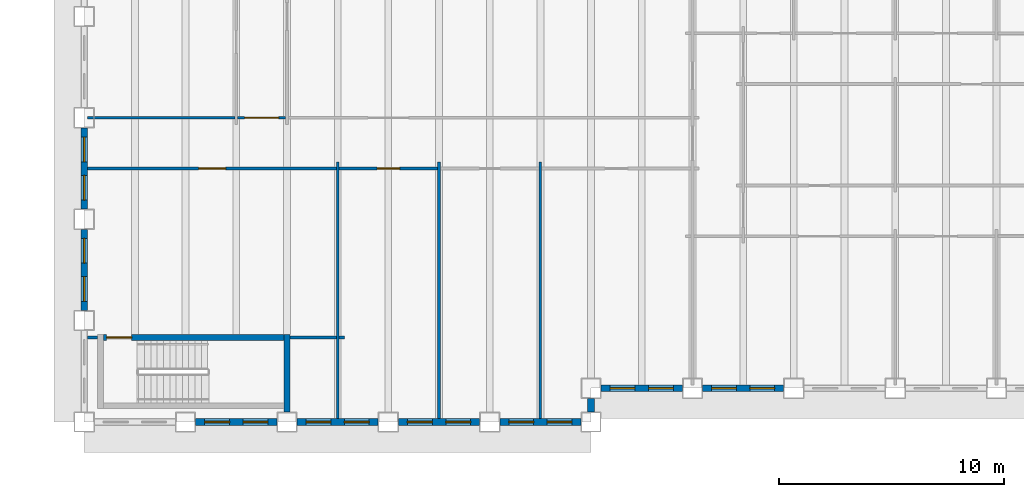
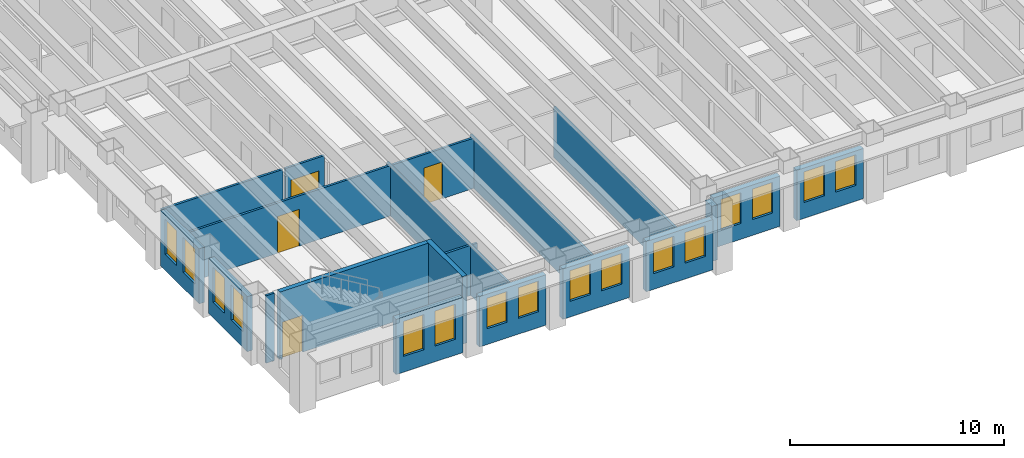
# One storey, part 3 of 16: 21 walls, 16 windows, 4 doors, 20 openings.
"""IFC4 building model written with IfcOpenShell, lengths in metres."""

import ifcopenshell
import ifcopenshell.guid

model = None  # the IFC model being written
_history = None  # IfcOwnerHistory: only IFC2X3 demands one
_inside = {}  # id of a spatial element -> (the spatial element, [elements in it])
_under = {}  # id of a project, library or spatial element -> (it, [spatial elements below it])
_declared = {}  # id of a project -> (the project, [libraries it declares])
_typed = {}  # id of a type object -> (the type object, [elements of that type])
_made_of = {}  # id of a material, layer set ... -> (it, [elements and type objects made of it])


def new_model(schema):
    """Start an empty IFC model of exactly this schema.

    Asked for "IFC4X3", IfcOpenShell would pick the latest addendum, in which some entities
    have other attributes; the version numbers below select the first issue.
    IFC2X3 requires an IfcOwnerHistory on every rooted entity: one is made here for all.
    """
    global model, _history
    if schema == "IFC4X3":
        model = ifcopenshell.file(schema_version=(4, 3, 0, 0))
    else:
        model = ifcopenshell.file(schema=schema)
    _inside.clear()
    _under.clear()
    _declared.clear()
    _typed.clear()
    _made_of.clear()
    _history = None
    if model.schema == "IFC2X3":
        org = make("IfcOrganization", Name="unknown")
        user = make(
            "IfcPersonAndOrganization",
            ThePerson=make("IfcPerson", FamilyName="unknown"),
            TheOrganization=org,
        )
        app = make(
            "IfcApplication",
            ApplicationDeveloper=org,
            Version="unknown",
            ApplicationFullName="unknown",
            ApplicationIdentifier="unknown",
        )
        _history = make(
            "IfcOwnerHistory",
            OwningUser=user,
            OwningApplication=app,
            ChangeAction="ADDED",
            CreationDate=0,
        )
    return model


def make(cls, **values):
    """One entity of the class cls with the attributes given. An attribute that is None is left unset."""
    return model.create_entity(
        cls, **{name: value for name, value in values.items() if value is not None}
    )


def rooted(cls, **values):
    """An entity with a GlobalId (a new one), such as an element, a storey or a relation."""
    return make(cls, GlobalId=ifcopenshell.guid.new(), OwnerHistory=_history, **values)


def si_unit(unit_type, name, prefix=None):
    """IfcSIUnit, for example si_unit("LENGTHUNIT", "METRE", prefix="MILLI")."""
    return make("IfcSIUnit", UnitType=unit_type, Prefix=prefix, Name=name)


def assignment(units):
    """IfcUnitAssignment: the units of a project."""
    return None if units is None else make("IfcUnitAssignment", Units=units)


def point(xyz):
    """IfcCartesianPoint."""
    return None if xyz is None else make("IfcCartesianPoint", Coordinates=xyz)


def direction(xyz):
    """IfcDirection."""
    return None if xyz is None else make("IfcDirection", DirectionRatios=xyz)


def frame(location, z_axis=None, x_axis=None):
    """IfcAxis2Placement3D, a coordinate frame: its origin and axes. An axis left out is left unset."""
    return make(
        "IfcAxis2Placement3D",
        Location=point(location),
        Axis=direction(z_axis),
        RefDirection=direction(x_axis),
    )


def frame_2d(location, x_axis=None):
    """IfcAxis2Placement2D, a coordinate frame in the plane: its origin and x axis."""
    return make(
        "IfcAxis2Placement2D", Location=point(location), RefDirection=direction(x_axis)
    )


def origin():
    """The frame at (0, 0, 0) with its axes left unset."""
    return frame((0.0, 0.0, 0.0))


def place(relative_to, where):
    """IfcLocalPlacement: puts the frame where relative to a parent placement (None: the world)."""
    return make(
        "IfcLocalPlacement", PlacementRelTo=relative_to, RelativePlacement=where
    )


def context(
    kind, dimensions, precision=None, world=None, true_north=None, identifier=None
):
    """IfcGeometricRepresentationContext, for example the 3D "Model" context."""
    return make(
        "IfcGeometricRepresentationContext",
        ContextIdentifier=identifier,
        ContextType=kind,
        CoordinateSpaceDimension=dimensions,
        Precision=precision,
        WorldCoordinateSystem=world,
        TrueNorth=true_north,
    )


def subcontext(parent, identifier, kind, view, scale=None):
    """IfcGeometricRepresentationSubContext, for example "Body" below "Model"."""
    return make(
        "IfcGeometricRepresentationSubContext",
        ContextIdentifier=identifier,
        ContextType=kind,
        ParentContext=parent,
        TargetScale=scale,
        TargetView=view,
    )


def project(units=None, contexts=None):
    """IfcProject with its units and contexts."""
    return rooted(
        "IfcProject",
        Name="project",
        RepresentationContexts=contexts,
        UnitsInContext=assignment(units),
    )


def spatial(cls, under=None, at=None, **own):
    """A site, building, storey or space (cls), placed at a placement, below another one or the project."""
    s = rooted(cls, ObjectPlacement=at, **own)
    if under is not None:
        _under.setdefault(under.id(), (under, []))[1].append(s)
    return s


def profile(cls, at=None, kind="AREA", **sizes):
    """A parametric profile (cls). Its sizes go by their IFC names, for example OverallWidth=200.0."""
    return make(cls, ProfileType=kind, Position=at, **sizes)


def rectangle(**sizes):
    """IfcRectangleProfileDef."""
    return profile("IfcRectangleProfileDef", **sizes)


def extrude(swept, where, along, depth):
    """IfcExtrudedAreaSolid: the profile swept, set in the frame where, extruded along a direction by depth."""
    return make(
        "IfcExtrudedAreaSolid",
        SweptArea=swept,
        Position=where,
        ExtrudedDirection=direction(along),
        Depth=depth,
    )


def shape(context_of_items, identifier, shape_type, items):
    """IfcShapeRepresentation: the items that make up one representation, for example the "Body"."""
    return make(
        "IfcShapeRepresentation",
        ContextOfItems=context_of_items,
        RepresentationIdentifier=identifier,
        RepresentationType=shape_type,
        Items=items,
    )


def material(Name=None, Category=None):
    """IfcMaterial."""
    return make("IfcMaterial", Name=Name, Category=Category)


def layer(
    of_material, thickness, ventilated=None, Name=None, Category=None, Priority=None
):
    """IfcMaterialLayer: one layer of a wall or slab, of a material (None: an air gap)."""
    return make(
        "IfcMaterialLayer",
        Material=of_material,
        LayerThickness=thickness,
        IsVentilated=ventilated,
        Name=Name,
        Category=Category,
        Priority=Priority,
    )


def layer_set(layers, Name=None):
    """IfcMaterialLayerSet."""
    return make("IfcMaterialLayerSet", MaterialLayers=layers, LayerSetName=Name)


def made_of(thing, what):
    """Note that an element or type object is made of a material, layer set ...; save() writes the relation."""
    if what is not None:
        _made_of.setdefault(what.id(), (what, []))[1].append(thing)
    return thing


def type_object(cls, material=None, **own):
    """A type object (cls), such as IfcWallType, which elements share."""
    return made_of(rooted(cls, **own), material)


def element(
    cls,
    number,
    at=None,
    inside=None,
    cuts=None,
    type_object=None,
    material=None,
    context=None,
    identifier="Body",
    shape_type=None,
    held_by="IfcProductDefinitionShape",
    body=None,
    shapes=None,
    **own,
):
    """One element of the class cls, such as IfcWall. Its Tag is "e" and its number.

    at: its placement. inside: the storey or other place that contains it. cuts: it is an
    opening in that element (IfcRelVoidsElement). A single representation is given by context,
    identifier, shape_type and body (its items); several are given by shapes. held_by: the class
    of the entity that holds the representations. save() writes the other relations.
    """
    e = rooted(cls, Tag="e%d" % number, ObjectPlacement=at, **own)
    if body is not None:
        shapes = [shape(context, identifier, shape_type, body)]
    if shapes is not None:
        e.Representation = make(held_by, Representations=shapes)
    if inside is not None:
        _inside.setdefault(inside.id(), (inside, []))[1].append(e)
    if cuts is not None:
        rooted(
            "IfcRelVoidsElement", RelatingBuildingElement=cuts, RelatedOpeningElement=e
        )
    if type_object is not None:
        _typed.setdefault(type_object.id(), (type_object, []))[1].append(e)
    return made_of(e, material)


def fill(opening, filler):
    """IfcRelFillsElement: the door or window that sits in an opening."""
    return rooted(
        "IfcRelFillsElement",
        RelatingOpeningElement=opening,
        RelatedBuildingElement=filler,
    )


def aggregate(whole, parts):
    """IfcRelAggregates: a whole, such as a stair, and the parts it consists of."""
    return rooted("IfcRelAggregates", RelatingObject=whole, RelatedObjects=parts)


def save(model, path):
    """Write the relations noted so far, then the file.

    IfcRelAggregates (storeys below a building ...), IfcRelContainedInSpatialStructure (elements
    in a storey), IfcRelDefinesByType, IfcRelAssociatesMaterial and IfcRelDeclares: one each for
    every whole, place, type object, material and project.
    """
    for whole, parts in _under.values():
        aggregate(whole, parts)
    for where, things in _inside.values():
        rooted(
            "IfcRelContainedInSpatialStructure",
            RelatedElements=things,
            RelatingStructure=where,
        )
    for kind, things in _typed.values():
        rooted("IfcRelDefinesByType", RelatedObjects=things, RelatingType=kind)
    for what, things in _made_of.values():
        rooted("IfcRelAssociatesMaterial", RelatedObjects=things, RelatingMaterial=what)
    for by, libraries in _declared.values():
        rooted("IfcRelDeclares", RelatingContext=by, RelatedDefinitions=libraries)
    model.write(path)


model = new_model("IFC4")

# Units and contexts
model_context = context("Model", 3, precision=1e-05, world=origin(), true_north=direction((0.0, 1.0)))
body_context = subcontext(model_context, "Body", "Model", "MODEL_VIEW")
ifc_project = project(units=[si_unit("LENGTHUNIT", "METRE"), si_unit("AREAUNIT", "SQUARE_METRE"), si_unit("VOLUMEUNIT", "CUBIC_METRE"), si_unit("PLANEANGLEUNIT", "RADIAN"), si_unit("MASSUNIT", "GRAM", prefix="KILO")], contexts=[model_context])

# Site, building, storey
site_placement = place(None, origin())
site = spatial("IfcSite", under=ifc_project, at=site_placement, CompositionType="ELEMENT")
building_placement = place(site_placement, origin())
building = spatial("IfcBuilding", under=site, at=building_placement, Name="Sennacour Bend Tower", CompositionType="ELEMENT")
storey_placement = place(building_placement, frame((0.0, 0.0, 171.0)))
storey = spatial("IfcBuildingStorey", under=building, at=storey_placement, Name="L39", CompositionType="ELEMENT", Elevation=171.0)

# Walls
ifc_material_1 = material(Name="Plasterboard partition on steel studs", Category="steel")
ifc_layer_1 = layer(ifc_material_1, 0.1201171875, Name="Plasterboard partition on steel studs", Category="steel")
ifc_layer_set_1 = layer_set([ifc_layer_1], Name="Plasterboard partition on steel studs")
wall_type_1 = type_object("IfcWallType", Name="Partition 120", PredefinedType="PARTITIONING", material=ifc_layer_set_1)
for number, where, z_axis, x_axis, name in (
    (1, (11.25, 0.14990234375, 0.0), (0.0, 0.0, 1.0), (0.0, 1.0, 0.0), "P-L39-W015a"),
    (2, (15.75, 0.14990234375, 0.0), (0.0, 0.0, 1.0), (0.0, 1.0, 0.0), "P-L39-W020a"),
    (3, (20.25, 0.14990234375, 0.0), (0.0, 0.0, 1.0), (0.0, 1.0, 0.0), "P-L39-W025a"),
):
    element("IfcWall", number, at=place(storey_placement, frame(where, z_axis=z_axis, x_axis=x_axis)), inside=storey, type_object=wall_type_1, Name=name, PredefinedType="PARTITIONING", context=body_context, shape_type="SweptSolid", body=[
        extrude(rectangle(XDim=11.400146484375, YDim=0.1201171875, at=frame_2d((5.7001953125, 0.0))), origin(), (0.0, 0.0, 1.0), 2.8701171875),
    ])
wall_1_placement = place(storey_placement, frame((0.14990234375, 3.75, 0.0), z_axis=(0.0, 0.0, 1.0), x_axis=(1.0, 0.0, 0.0)))
element("IfcWall", 4, at=wall_1_placement, inside=storey, type_object=wall_type_1, Name="P-L39-W054a", PredefinedType="PARTITIONING", context=body_context, shape_type="SweptSolid", body=[
    extrude(rectangle(XDim=0.4501953125, YDim=0.1201171875, at=frame_2d((0.22509765625, 0.0))), origin(), (0.0, 0.0, 1.0), 3.85009765625),
])
wall_2_placement = place(storey_placement, frame((9.125, 3.75, 0.0), z_axis=(0.0, 0.0, 1.0), x_axis=(1.0, 0.0, 0.0)))
element("IfcWall", 5, at=wall_2_placement, inside=storey, type_object=wall_type_1, Name="P-L39-W056aa", PredefinedType="PARTITIONING", context=body_context, shape_type="SweptSolid", body=[
    extrude(rectangle(XDim=2.06494140625, YDim=0.1201171875, at=frame_2d((1.032470703125, 0.0))), origin(), (0.0, 0.0, 1.0), 2.8701171875),
])
wall_3_placement = place(storey_placement, frame((11.31005859375, 3.75, 0.0), z_axis=(0.0, 0.0, 1.0), x_axis=(1.0, 0.0, 0.0)))
element("IfcWall", 6, at=wall_3_placement, inside=storey, type_object=wall_type_1, Name="P-L39-W056ab", PredefinedType="PARTITIONING", context=body_context, shape_type="SweptSolid", body=[
    extrude(rectangle(XDim=0.239990234375, YDim=0.1201171875, at=frame_2d((0.1201171875, 0.0))), origin(), (0.0, 0.0, 1.0), 2.8701171875),
])

# Wall, opening, door
wall_4_placement = place(storey_placement, frame((11.31005859375, 11.25, 0.0), z_axis=(0.0, 0.0, 1.0), x_axis=(1.0, 0.0, 0.0)))
wall_4 = element("IfcWall", 7, at=wall_4_placement, inside=storey, type_object=wall_type_1, Name="P-L39-W064ab", PredefinedType="PARTITIONING", context=body_context, shape_type="SweptSolid", body=[
    extrude(rectangle(XDim=4.3798828125, YDim=0.1201171875, at=frame_2d((2.18994140625, 0.0))), origin(), (0.0, 0.0, 1.0), 2.8701171875),
])
opening_1_placement = place(wall_4_placement, frame((1.68994140625, 0.0, 0.0)))
opening_1 = element("IfcOpeningElement", 8, at=opening_1_placement, cuts=wall_4, Name="Opening OD2", PredefinedType="OPENING", context=body_context, shape_type="SweptSolid", body=[
    extrude(rectangle(XDim=1.0, YDim=2.10009765625, at=frame_2d((0.5, 1.050048828125))), frame((0.0, 0.070068359375, 0.0), z_axis=(0.0, -1.0, 0.0), x_axis=(1.0, 0.0, 0.0)), (0.0, 0.0, 1.0), 0.14013671875),
])
ifc_material_2 = material(Name="Timber", Category="wood")
door_type_1 = type_object("IfcDoorType", Name="DR-OFFICE-1000", OperationType="NOTDEFINED", PredefinedType="DOOR", material=ifc_material_2)
door_1_placement = place(opening_1_placement, origin())
door_1 = element("IfcDoor", 9, at=door_1_placement, inside=storey, type_object=door_type_1, Name="Door", OperationType="SINGLE_SWING_LEFT", OverallHeight=2.10009765625, OverallWidth=1.0, PredefinedType="DOOR", context=body_context, shape_type="SweptSolid", body=[
    extrude(rectangle(XDim=1.0, YDim=2.10009765625, at=frame_2d((0.5, 1.050048828125))), frame((0.0, 0.02490234375, 0.0), z_axis=(0.0, -1.0, 0.0), x_axis=(1.0, 0.0, 0.0)), (0.0, 0.0, 1.0), 0.050048828125),
])
fill(opening_1, door_1)

# Wall
wall_5_placement = place(storey_placement, frame((0.14990234375, 13.5, 0.0), z_axis=(0.0, 0.0, 1.0), x_axis=(1.0, 0.0, 0.0)))
element("IfcWall", 10, at=wall_5_placement, inside=storey, type_object=wall_type_1, Name="P-L39-W068aa", PredefinedType="PARTITIONING", context=body_context, shape_type="SweptSolid", body=[
    extrude(rectangle(XDim=6.5400390625, YDim=0.1201171875, at=frame_2d((3.27001953125, 0.0))), origin(), (0.0, 0.0, 1.0), 2.8701171875),
])

# Wall, opening, door
ifc_layer_2 = layer(ifc_material_1, 0.1201171875, Name="Plasterboard partition on steel studs", Category="steel")
ifc_layer_set_2 = layer_set([ifc_layer_2], Name="Plasterboard partition on steel studs")
wall_type_2 = type_object("IfcWallType", Name="Partition 120 EI 30", PredefinedType="PARTITIONING", material=ifc_layer_set_2)
wall_6_placement = place(storey_placement, frame((0.14990234375, 11.25, 0.0), z_axis=(0.0, 0.0, 1.0), x_axis=(1.0, 0.0, 0.0)))
wall_6 = element("IfcWall", 11, at=wall_6_placement, inside=storey, type_object=wall_type_2, Name="P-L39-W064aa", PredefinedType="PARTITIONING", context=body_context, shape_type="SweptSolid", body=[
    extrude(rectangle(XDim=11.0400390625, YDim=0.1201171875, at=frame_2d((5.52001953125, 0.0))), origin(), (0.0, 0.0, 1.0), 2.8701171875),
])
opening_2_placement = place(wall_6_placement, frame((4.93017578125, 0.0, 0.0)))
opening_2 = element("IfcOpeningElement", 12, at=opening_2_placement, cuts=wall_6, Name="Opening KD2", PredefinedType="OPENING", context=body_context, shape_type="SweptSolid", body=[
    extrude(rectangle(XDim=1.199951171875, YDim=2.10009765625, at=frame_2d((0.60009765625, 1.050048828125))), frame((0.0, 0.070068359375, 0.0), z_axis=(0.0, -1.0, 0.0), x_axis=(1.0, 0.0, 0.0)), (0.0, 0.0, 1.0), 0.14013671875),
])
ifc_material_3 = material(Name="Painted steel", Category="steel")
door_type_2 = type_object("IfcDoorType", Name="DR-CORRIDOR-1200", OperationType="NOTDEFINED", PredefinedType="DOOR", material=ifc_material_3)
door_2_placement = place(opening_2_placement, origin())
door_2 = element("IfcDoor", 13, at=door_2_placement, inside=storey, type_object=door_type_2, Name="Door", OperationType="SINGLE_SWING_LEFT", OverallHeight=2.10009765625, OverallWidth=1.199951171875, PredefinedType="DOOR", context=body_context, shape_type="SweptSolid", body=[
    extrude(rectangle(XDim=1.199951171875, YDim=2.10009765625, at=frame_2d((0.60009765625, 1.050048828125))), frame((0.0, 0.02490234375, 0.0), z_axis=(0.0, -1.0, 0.0), x_axis=(1.0, 0.0, 0.0)), (0.0, 0.0, 1.0), 0.050048828125),
])
fill(opening_2, door_2)

wall_7_placement = place(storey_placement, frame((6.81005859375, 13.5, 0.0), z_axis=(0.0, 0.0, 1.0), x_axis=(1.0, 0.0, 0.0)))
wall_7 = element("IfcWall", 14, at=wall_7_placement, inside=storey, type_object=wall_type_2, Name="P-L39-W068ab", PredefinedType="PARTITIONING", context=body_context, shape_type="SweptSolid", body=[
    extrude(rectangle(XDim=2.1298828125, YDim=0.1201171875, at=frame_2d((1.06494140625, 0.0))), origin(), (0.0, 0.0, 1.0), 2.8701171875),
])
opening_3_placement = place(wall_7_placement, frame((0.31494140625, 0.0, 0.0)))
opening_3 = element("IfcOpeningElement", 15, at=opening_3_placement, cuts=wall_7, Name="Opening KD", PredefinedType="OPENING", context=body_context, shape_type="SweptSolid", body=[
    extrude(rectangle(XDim=1.5, YDim=2.10009765625, at=frame_2d((0.75, 1.050048828125))), frame((0.0, 0.070068359375, 0.0), z_axis=(0.0, -1.0, 0.0), x_axis=(1.0, 0.0, 0.0)), (0.0, 0.0, 1.0), 0.14013671875),
])
door_type_3 = type_object("IfcDoorType", Name="DR-CORRIDOR-1500", OperationType="NOTDEFINED", PredefinedType="DOOR", material=ifc_material_3)
door_3_placement = place(opening_3_placement, origin())
door_3 = element("IfcDoor", 16, at=door_3_placement, inside=storey, type_object=door_type_3, Name="Door", OperationType="SINGLE_SWING_LEFT", OverallHeight=2.10009765625, OverallWidth=1.5, PredefinedType="DOOR", context=body_context, shape_type="SweptSolid", body=[
    extrude(rectangle(XDim=1.5, YDim=2.10009765625, at=frame_2d((0.75, 1.050048828125))), frame((0.0, 0.02490234375, 0.0), z_axis=(0.0, -1.0, 0.0), x_axis=(1.0, 0.0, 0.0)), (0.0, 0.0, 1.0), 0.050048828125),
])
fill(opening_3, door_3)

# Wall, openings, windows
ifc_material_4 = material(Name="Warm limestone cladding", Category="masonry")
ifc_layer_3 = layer(ifc_material_4, 0.050048828125, Name="Warm limestone cladding", Category="masonry")
ifc_material_5 = material(Name="Precast concrete C40/50", Category="concrete")
ifc_layer_4 = layer(ifc_material_5, 0.25, Name="Precast concrete C40/50", Category="concrete")
ifc_layer_set_3 = layer_set([ifc_layer_3, ifc_layer_4], Name="Precast concrete C40/50 with limestone cladding")
wall_type_3 = type_object("IfcWallType", Name="STONE-CLAD PRECAST SPANDREL 300", PredefinedType="STANDARD", material=ifc_layer_set_3)
wall_8_placement = place(storey_placement, frame((4.949951171875, 0.0, 0.0), z_axis=(0.0, 0.0, 1.0), x_axis=(1.0, 0.0, 0.0)))
wall_8 = element("IfcWall", 17, at=wall_8_placement, inside=storey, type_object=wall_type_3, Name="Stone spandrel and pier wall L39 00.01", PredefinedType="STANDARD", context=body_context, shape_type="SweptSolid", body=[
    extrude(rectangle(XDim=3.60009765625, YDim=0.300048828125, at=frame_2d((1.800048828125, 0.0))), origin(), (0.0, 0.0, 1.0), 3.14892578125),
])
opening_4_placement = place(wall_8_placement, frame((0.39990234375, 0.0, 0.89990234375)))
opening_4 = element("IfcOpeningElement", 18, at=opening_4_placement, cuts=wall_8, Name="Opening W19", PredefinedType="OPENING", context=body_context, shape_type="SweptSolid", body=[
    extrude(rectangle(XDim=1.10009765625, YDim=2.0, at=frame_2d((0.550048828125, 1.0))), frame((0.0, 0.16015625, 0.0), z_axis=(0.0, -1.0, 0.0), x_axis=(1.0, 0.0, 0.0)), (0.0, 0.0, 1.0), 0.320068359375),
])
opening_5_placement = place(wall_8_placement, frame((2.10009765625, 0.0, 0.89990234375)))
opening_5 = element("IfcOpeningElement", 19, at=opening_5_placement, cuts=wall_8, Name="Opening W19", PredefinedType="OPENING", context=body_context, shape_type="SweptSolid", body=[
    extrude(rectangle(XDim=1.10009765625, YDim=2.0, at=frame_2d((0.550048828125, 1.0))), frame((0.0, 0.16015625, 0.0), z_axis=(0.0, -1.0, 0.0), x_axis=(1.0, 0.0, 0.0)), (0.0, 0.0, 1.0), 0.320068359375),
])
ifc_material_6 = material(Name="Clear low-emissivity glass", Category="glass")
window_type_1 = type_object("IfcWindowType", Name="WIN-RIBBON-1100x2000", PartitioningType="SINGLE_PANEL", PredefinedType="WINDOW", material=ifc_material_6)
window_1_placement = place(opening_4_placement, origin())
window_1 = element("IfcWindow", 20, at=window_1_placement, inside=storey, type_object=window_type_1, Name="Ribbon window L39 00.01.0", OverallHeight=2.0, OverallWidth=1.10009765625, PartitioningType="SINGLE_PANEL", PredefinedType="WINDOW", context=body_context, shape_type="SweptSolid", body=[
    extrude(rectangle(XDim=1.10009765625, YDim=2.0, at=frame_2d((0.550048828125, 1.0))), frame((0.0, 0.030029296875, 0.0), z_axis=(0.0, -1.0, 0.0), x_axis=(1.0, 0.0, 0.0)), (0.0, 0.0, 1.0), 0.06005859375),
])
fill(opening_4, window_1)
window_2_placement = place(opening_5_placement, origin())
window_2 = element("IfcWindow", 21, at=window_2_placement, inside=storey, type_object=window_type_1, Name="Ribbon window L39 00.01.1", OverallHeight=2.0, OverallWidth=1.10009765625, PartitioningType="SINGLE_PANEL", PredefinedType="WINDOW", context=body_context, shape_type="SweptSolid", body=[
    extrude(rectangle(XDim=1.10009765625, YDim=2.0, at=frame_2d((0.550048828125, 1.0))), frame((0.0, 0.030029296875, 0.0), z_axis=(0.0, -1.0, 0.0), x_axis=(1.0, 0.0, 0.0)), (0.0, 0.0, 1.0), 0.06005859375),
])
fill(opening_5, window_2)

wall_9_placement = place(storey_placement, frame((9.449951171875, 0.0, 0.0), z_axis=(0.0, 0.0, 1.0), x_axis=(1.0, 0.0, 0.0)))
wall_9 = element("IfcWall", 22, at=wall_9_placement, inside=storey, type_object=wall_type_3, Name="Stone spandrel and pier wall L39 00.02", PredefinedType="STANDARD", context=body_context, shape_type="SweptSolid", body=[
    extrude(rectangle(XDim=3.60009765625, YDim=0.300048828125, at=frame_2d((1.800048828125, 0.0))), origin(), (0.0, 0.0, 1.0), 2.8701171875),
])
opening_6_placement = place(wall_9_placement, frame((0.39990234375, 0.0, 0.89990234375)))
opening_6 = element("IfcOpeningElement", 23, at=opening_6_placement, cuts=wall_9, Name="Opening W17", PredefinedType="OPENING", context=body_context, shape_type="SweptSolid", body=[
    extrude(rectangle(XDim=1.10009765625, YDim=1.75, at=frame_2d((0.550048828125, 0.875))), frame((0.0, 0.16015625, 0.0), z_axis=(0.0, -1.0, 0.0), x_axis=(1.0, 0.0, 0.0)), (0.0, 0.0, 1.0), 0.320068359375),
])
opening_7_placement = place(wall_9_placement, frame((2.10009765625, 0.0, 0.89990234375)))
opening_7 = element("IfcOpeningElement", 24, at=opening_7_placement, cuts=wall_9, Name="Opening W17", PredefinedType="OPENING", context=body_context, shape_type="SweptSolid", body=[
    extrude(rectangle(XDim=1.10009765625, YDim=1.75, at=frame_2d((0.550048828125, 0.875))), frame((0.0, 0.16015625, 0.0), z_axis=(0.0, -1.0, 0.0), x_axis=(1.0, 0.0, 0.0)), (0.0, 0.0, 1.0), 0.320068359375),
])
window_type_2 = type_object("IfcWindowType", Name="WIN-RIBBON-1100x1750", PartitioningType="SINGLE_PANEL", PredefinedType="WINDOW", material=ifc_material_6)
window_3_placement = place(opening_6_placement, origin())
window_3 = element("IfcWindow", 25, at=window_3_placement, inside=storey, type_object=window_type_2, Name="Ribbon window L39 00.02.0", OverallHeight=1.75, OverallWidth=1.10009765625, PartitioningType="SINGLE_PANEL", PredefinedType="WINDOW", context=body_context, shape_type="SweptSolid", body=[
    extrude(rectangle(XDim=1.10009765625, YDim=1.75, at=frame_2d((0.550048828125, 0.875))), frame((0.0, 0.030029296875, 0.0), z_axis=(0.0, -1.0, 0.0), x_axis=(1.0, 0.0, 0.0)), (0.0, 0.0, 1.0), 0.06005859375),
])
fill(opening_6, window_3)
window_4_placement = place(opening_7_placement, origin())
window_4 = element("IfcWindow", 26, at=window_4_placement, inside=storey, type_object=window_type_2, Name="Ribbon window L39 00.02.1", OverallHeight=1.75, OverallWidth=1.10009765625, PartitioningType="SINGLE_PANEL", PredefinedType="WINDOW", context=body_context, shape_type="SweptSolid", body=[
    extrude(rectangle(XDim=1.10009765625, YDim=1.75, at=frame_2d((0.550048828125, 0.875))), frame((0.0, 0.030029296875, 0.0), z_axis=(0.0, -1.0, 0.0), x_axis=(1.0, 0.0, 0.0)), (0.0, 0.0, 1.0), 0.06005859375),
])
fill(opening_7, window_4)

wall_10_placement = place(storey_placement, frame((13.949951171875, 0.0, 0.0), z_axis=(0.0, 0.0, 1.0), x_axis=(1.0, 0.0, 0.0)))
wall_10 = element("IfcWall", 27, at=wall_10_placement, inside=storey, type_object=wall_type_3, Name="Stone spandrel and pier wall L39 00.03", PredefinedType="STANDARD", context=body_context, shape_type="SweptSolid", body=[
    extrude(rectangle(XDim=3.60009765625, YDim=0.300048828125, at=frame_2d((1.800048828125, 0.0))), origin(), (0.0, 0.0, 1.0), 2.8701171875),
])
opening_8_placement = place(wall_10_placement, frame((0.39990234375, 0.0, 0.89990234375)))
opening_8 = element("IfcOpeningElement", 28, at=opening_8_placement, cuts=wall_10, Name="Opening W17", PredefinedType="OPENING", context=body_context, shape_type="SweptSolid", body=[
    extrude(rectangle(XDim=1.10009765625, YDim=1.75, at=frame_2d((0.550048828125, 0.875))), frame((0.0, 0.16015625, 0.0), z_axis=(0.0, -1.0, 0.0), x_axis=(1.0, 0.0, 0.0)), (0.0, 0.0, 1.0), 0.320068359375),
])
opening_9_placement = place(wall_10_placement, frame((2.10009765625, 0.0, 0.89990234375)))
opening_9 = element("IfcOpeningElement", 29, at=opening_9_placement, cuts=wall_10, Name="Opening W17", PredefinedType="OPENING", context=body_context, shape_type="SweptSolid", body=[
    extrude(rectangle(XDim=1.10009765625, YDim=1.75, at=frame_2d((0.550048828125, 0.875))), frame((0.0, 0.16015625, 0.0), z_axis=(0.0, -1.0, 0.0), x_axis=(1.0, 0.0, 0.0)), (0.0, 0.0, 1.0), 0.320068359375),
])
window_5_placement = place(opening_8_placement, origin())
window_5 = element("IfcWindow", 30, at=window_5_placement, inside=storey, type_object=window_type_2, Name="Ribbon window L39 00.03.0", OverallHeight=1.75, OverallWidth=1.10009765625, PartitioningType="SINGLE_PANEL", PredefinedType="WINDOW", context=body_context, shape_type="SweptSolid", body=[
    extrude(rectangle(XDim=1.10009765625, YDim=1.75, at=frame_2d((0.550048828125, 0.875))), frame((0.0, 0.030029296875, 0.0), z_axis=(0.0, -1.0, 0.0), x_axis=(1.0, 0.0, 0.0)), (0.0, 0.0, 1.0), 0.06005859375),
])
fill(opening_8, window_5)
window_6_placement = place(opening_9_placement, origin())
window_6 = element("IfcWindow", 31, at=window_6_placement, inside=storey, type_object=window_type_2, Name="Ribbon window L39 00.03.1", OverallHeight=1.75, OverallWidth=1.10009765625, PartitioningType="SINGLE_PANEL", PredefinedType="WINDOW", context=body_context, shape_type="SweptSolid", body=[
    extrude(rectangle(XDim=1.10009765625, YDim=1.75, at=frame_2d((0.550048828125, 0.875))), frame((0.0, 0.030029296875, 0.0), z_axis=(0.0, -1.0, 0.0), x_axis=(1.0, 0.0, 0.0)), (0.0, 0.0, 1.0), 0.06005859375),
])
fill(opening_9, window_6)

wall_11_placement = place(storey_placement, frame((18.449951171875, 0.0, 0.0), z_axis=(0.0, 0.0, 1.0), x_axis=(1.0, 0.0, 0.0)))
wall_11 = element("IfcWall", 32, at=wall_11_placement, inside=storey, type_object=wall_type_3, Name="Stone spandrel and pier wall L39 00.04", PredefinedType="STANDARD", context=body_context, shape_type="SweptSolid", body=[
    extrude(rectangle(XDim=3.60009765625, YDim=0.300048828125, at=frame_2d((1.800048828125, 0.0))), origin(), (0.0, 0.0, 1.0), 2.8701171875),
])
opening_10_placement = place(wall_11_placement, frame((0.39990234375, 0.0, 0.89990234375)))
opening_10 = element("IfcOpeningElement", 33, at=opening_10_placement, cuts=wall_11, Name="Opening W17", PredefinedType="OPENING", context=body_context, shape_type="SweptSolid", body=[
    extrude(rectangle(XDim=1.10009765625, YDim=1.75, at=frame_2d((0.550048828125, 0.875))), frame((0.0, 0.16015625, 0.0), z_axis=(0.0, -1.0, 0.0), x_axis=(1.0, 0.0, 0.0)), (0.0, 0.0, 1.0), 0.320068359375),
])
opening_11_placement = place(wall_11_placement, frame((2.10009765625, 0.0, 0.89990234375)))
opening_11 = element("IfcOpeningElement", 34, at=opening_11_placement, cuts=wall_11, Name="Opening W17", PredefinedType="OPENING", context=body_context, shape_type="SweptSolid", body=[
    extrude(rectangle(XDim=1.10009765625, YDim=1.75, at=frame_2d((0.550048828125, 0.875))), frame((0.0, 0.16015625, 0.0), z_axis=(0.0, -1.0, 0.0), x_axis=(1.0, 0.0, 0.0)), (0.0, 0.0, 1.0), 0.320068359375),
])
window_7_placement = place(opening_10_placement, origin())
window_7 = element("IfcWindow", 35, at=window_7_placement, inside=storey, type_object=window_type_2, Name="Ribbon window L39 00.04.0", OverallHeight=1.75, OverallWidth=1.10009765625, PartitioningType="SINGLE_PANEL", PredefinedType="WINDOW", context=body_context, shape_type="SweptSolid", body=[
    extrude(rectangle(XDim=1.10009765625, YDim=1.75, at=frame_2d((0.550048828125, 0.875))), frame((0.0, 0.030029296875, 0.0), z_axis=(0.0, -1.0, 0.0), x_axis=(1.0, 0.0, 0.0)), (0.0, 0.0, 1.0), 0.06005859375),
])
fill(opening_10, window_7)
window_8_placement = place(opening_11_placement, origin())
window_8 = element("IfcWindow", 36, at=window_8_placement, inside=storey, type_object=window_type_2, Name="Ribbon window L39 00.04.1", OverallHeight=1.75, OverallWidth=1.10009765625, PartitioningType="SINGLE_PANEL", PredefinedType="WINDOW", context=body_context, shape_type="SweptSolid", body=[
    extrude(rectangle(XDim=1.10009765625, YDim=1.75, at=frame_2d((0.550048828125, 0.875))), frame((0.0, 0.030029296875, 0.0), z_axis=(0.0, -1.0, 0.0), x_axis=(1.0, 0.0, 0.0)), (0.0, 0.0, 1.0), 0.06005859375),
])
fill(opening_11, window_8)

# Wall
wall_12_placement = place(storey_placement, frame((22.5, 0.449951171875, 0.0), z_axis=(0.0, 0.0, 1.0), x_axis=(0.0, 1.0, 0.0)))
element("IfcWall", 37, at=wall_12_placement, inside=storey, type_object=wall_type_3, Name="Stone spandrel and pier wall L39 01.00", PredefinedType="STANDARD", context=body_context, shape_type="SweptSolid", body=[
    extrude(rectangle(XDim=0.60009765625, YDim=0.300048828125, at=frame_2d((0.300048828125, 0.0))), origin(), (0.0, 0.0, 1.0), 3.14892578125),
])

# Wall, openings, windows
wall_13_placement = place(storey_placement, frame((22.949951171875, 1.5, 0.0), z_axis=(0.0, 0.0, 1.0), x_axis=(1.0, 0.0, 0.0)))
wall_13 = element("IfcWall", 38, at=wall_13_placement, inside=storey, type_object=wall_type_3, Name="Stone spandrel and pier wall L39 02.00", PredefinedType="STANDARD", context=body_context, shape_type="SweptSolid", body=[
    extrude(rectangle(XDim=3.60009765625, YDim=0.300048828125, at=frame_2d((1.800048828125, 0.0))), origin(), (0.0, 0.0, 1.0), 2.8701171875),
])
opening_12_placement = place(wall_13_placement, frame((0.39990234375, 0.0, 0.89990234375)))
opening_12 = element("IfcOpeningElement", 39, at=opening_12_placement, cuts=wall_13, Name="Opening W17", PredefinedType="OPENING", context=body_context, shape_type="SweptSolid", body=[
    extrude(rectangle(XDim=1.10009765625, YDim=1.75, at=frame_2d((0.550048828125, 0.875))), frame((0.0, 0.16015625, 0.0), z_axis=(0.0, -1.0, 0.0), x_axis=(1.0, 0.0, 0.0)), (0.0, 0.0, 1.0), 0.320068359375),
])
opening_13_placement = place(wall_13_placement, frame((2.10009765625, 0.0, 0.89990234375)))
opening_13 = element("IfcOpeningElement", 40, at=opening_13_placement, cuts=wall_13, Name="Opening W17", PredefinedType="OPENING", context=body_context, shape_type="SweptSolid", body=[
    extrude(rectangle(XDim=1.10009765625, YDim=1.75, at=frame_2d((0.550048828125, 0.875))), frame((0.0, 0.16015625, 0.0), z_axis=(0.0, -1.0, 0.0), x_axis=(1.0, 0.0, 0.0)), (0.0, 0.0, 1.0), 0.320068359375),
])
window_9_placement = place(opening_12_placement, origin())
window_9 = element("IfcWindow", 41, at=window_9_placement, inside=storey, type_object=window_type_2, Name="Ribbon window L39 02.00.0", OverallHeight=1.75, OverallWidth=1.10009765625, PartitioningType="SINGLE_PANEL", PredefinedType="WINDOW", context=body_context, shape_type="SweptSolid", body=[
    extrude(rectangle(XDim=1.10009765625, YDim=1.75, at=frame_2d((0.550048828125, 0.875))), frame((0.0, 0.030029296875, 0.0), z_axis=(0.0, -1.0, 0.0), x_axis=(1.0, 0.0, 0.0)), (0.0, 0.0, 1.0), 0.06005859375),
])
fill(opening_12, window_9)
window_10_placement = place(opening_13_placement, origin())
window_10 = element("IfcWindow", 42, at=window_10_placement, inside=storey, type_object=window_type_2, Name="Ribbon window L39 02.00.1", OverallHeight=1.75, OverallWidth=1.10009765625, PartitioningType="SINGLE_PANEL", PredefinedType="WINDOW", context=body_context, shape_type="SweptSolid", body=[
    extrude(rectangle(XDim=1.10009765625, YDim=1.75, at=frame_2d((0.550048828125, 0.875))), frame((0.0, 0.030029296875, 0.0), z_axis=(0.0, -1.0, 0.0), x_axis=(1.0, 0.0, 0.0)), (0.0, 0.0, 1.0), 0.06005859375),
])
fill(opening_13, window_10)

wall_14_placement = place(storey_placement, frame((27.449951171875, 1.5, 0.0), z_axis=(0.0, 0.0, 1.0), x_axis=(1.0, 0.0, 0.0)))
wall_14 = element("IfcWall", 43, at=wall_14_placement, inside=storey, type_object=wall_type_3, Name="Stone spandrel and pier wall L39 02.01", PredefinedType="STANDARD", context=body_context, shape_type="SweptSolid", body=[
    extrude(rectangle(XDim=3.60009765625, YDim=0.300048828125, at=frame_2d((1.800048828125, 0.0))), origin(), (0.0, 0.0, 1.0), 2.8701171875),
])
opening_14_placement = place(wall_14_placement, frame((0.39990234375, 0.0, 0.89990234375)))
opening_14 = element("IfcOpeningElement", 44, at=opening_14_placement, cuts=wall_14, Name="Opening W17", PredefinedType="OPENING", context=body_context, shape_type="SweptSolid", body=[
    extrude(rectangle(XDim=1.10009765625, YDim=1.75, at=frame_2d((0.550048828125, 0.875))), frame((0.0, 0.16015625, 0.0), z_axis=(0.0, -1.0, 0.0), x_axis=(1.0, 0.0, 0.0)), (0.0, 0.0, 1.0), 0.320068359375),
])
opening_15_placement = place(wall_14_placement, frame((2.10009765625, 0.0, 0.89990234375)))
opening_15 = element("IfcOpeningElement", 45, at=opening_15_placement, cuts=wall_14, Name="Opening W17", PredefinedType="OPENING", context=body_context, shape_type="SweptSolid", body=[
    extrude(rectangle(XDim=1.10009765625, YDim=1.75, at=frame_2d((0.550048828125, 0.875))), frame((0.0, 0.16015625, 0.0), z_axis=(0.0, -1.0, 0.0), x_axis=(1.0, 0.0, 0.0)), (0.0, 0.0, 1.0), 0.320068359375),
])
window_11_placement = place(opening_14_placement, origin())
window_11 = element("IfcWindow", 46, at=window_11_placement, inside=storey, type_object=window_type_2, Name="Ribbon window L39 02.01.0", OverallHeight=1.75, OverallWidth=1.10009765625, PartitioningType="SINGLE_PANEL", PredefinedType="WINDOW", context=body_context, shape_type="SweptSolid", body=[
    extrude(rectangle(XDim=1.10009765625, YDim=1.75, at=frame_2d((0.550048828125, 0.875))), frame((0.0, 0.030029296875, 0.0), z_axis=(0.0, -1.0, 0.0), x_axis=(1.0, 0.0, 0.0)), (0.0, 0.0, 1.0), 0.06005859375),
])
fill(opening_14, window_11)
window_12_placement = place(opening_15_placement, origin())
window_12 = element("IfcWindow", 47, at=window_12_placement, inside=storey, type_object=window_type_2, Name="Ribbon window L39 02.01.1", OverallHeight=1.75, OverallWidth=1.10009765625, PartitioningType="SINGLE_PANEL", PredefinedType="WINDOW", context=body_context, shape_type="SweptSolid", body=[
    extrude(rectangle(XDim=1.10009765625, YDim=1.75, at=frame_2d((0.550048828125, 0.875))), frame((0.0, 0.030029296875, 0.0), z_axis=(0.0, -1.0, 0.0), x_axis=(1.0, 0.0, 0.0)), (0.0, 0.0, 1.0), 0.06005859375),
])
fill(opening_15, window_12)

wall_15_placement = place(storey_placement, frame((0.0, 13.050048828125, 0.0), z_axis=(0.0, 0.0, 1.0), x_axis=(0.0, -1.0, 0.0)))
wall_15 = element("IfcWall", 48, at=wall_15_placement, inside=storey, type_object=wall_type_3, Name="Stone spandrel and pier wall L39 23.02", PredefinedType="STANDARD", context=body_context, shape_type="SweptSolid", body=[
    extrude(rectangle(XDim=3.60009765625, YDim=0.300048828125, at=frame_2d((1.800048828125, 0.0))), origin(), (0.0, 0.0, 1.0), 3.14892578125),
])
opening_16_placement = place(wall_15_placement, frame((0.39990234375, 0.0, 0.89990234375)))
opening_16 = element("IfcOpeningElement", 49, at=opening_16_placement, cuts=wall_15, Name="Opening W19", PredefinedType="OPENING", context=body_context, shape_type="SweptSolid", body=[
    extrude(rectangle(XDim=1.10009765625, YDim=2.0, at=frame_2d((0.550048828125, 1.0))), frame((0.0, 0.16015625, 0.0), z_axis=(0.0, -1.0, 0.0), x_axis=(1.0, 0.0, 0.0)), (0.0, 0.0, 1.0), 0.320068359375),
])
opening_17_placement = place(wall_15_placement, frame((2.10009765625, 0.0, 0.89990234375)))
opening_17 = element("IfcOpeningElement", 50, at=opening_17_placement, cuts=wall_15, Name="Opening W19", PredefinedType="OPENING", context=body_context, shape_type="SweptSolid", body=[
    extrude(rectangle(XDim=1.10009765625, YDim=2.0, at=frame_2d((0.550048828125, 1.0))), frame((0.0, 0.16015625, 0.0), z_axis=(0.0, -1.0, 0.0), x_axis=(1.0, 0.0, 0.0)), (0.0, 0.0, 1.0), 0.320068359375),
])
window_13_placement = place(opening_16_placement, origin())
window_13 = element("IfcWindow", 51, at=window_13_placement, inside=storey, type_object=window_type_1, Name="Ribbon window L39 23.02.0", OverallHeight=2.0, OverallWidth=1.10009765625, PartitioningType="SINGLE_PANEL", PredefinedType="WINDOW", context=body_context, shape_type="SweptSolid", body=[
    extrude(rectangle(XDim=1.10009765625, YDim=2.0, at=frame_2d((0.550048828125, 1.0))), frame((0.0, 0.030029296875, 0.0), z_axis=(0.0, -1.0, 0.0), x_axis=(1.0, 0.0, 0.0)), (0.0, 0.0, 1.0), 0.06005859375),
])
fill(opening_16, window_13)
window_14_placement = place(opening_17_placement, origin())
window_14 = element("IfcWindow", 52, at=window_14_placement, inside=storey, type_object=window_type_1, Name="Ribbon window L39 23.02.1", OverallHeight=2.0, OverallWidth=1.10009765625, PartitioningType="SINGLE_PANEL", PredefinedType="WINDOW", context=body_context, shape_type="SweptSolid", body=[
    extrude(rectangle(XDim=1.10009765625, YDim=2.0, at=frame_2d((0.550048828125, 1.0))), frame((0.0, 0.030029296875, 0.0), z_axis=(0.0, -1.0, 0.0), x_axis=(1.0, 0.0, 0.0)), (0.0, 0.0, 1.0), 0.06005859375),
])
fill(opening_17, window_14)

wall_16_placement = place(storey_placement, frame((0.0, 8.550048828125, 0.0), z_axis=(0.0, 0.0, 1.0), x_axis=(0.0, -1.0, 0.0)))
wall_16 = element("IfcWall", 53, at=wall_16_placement, inside=storey, type_object=wall_type_3, Name="Stone spandrel and pier wall L39 23.03", PredefinedType="STANDARD", context=body_context, shape_type="SweptSolid", body=[
    extrude(rectangle(XDim=3.60009765625, YDim=0.300048828125, at=frame_2d((1.800048828125, 0.0))), origin(), (0.0, 0.0, 1.0), 3.14892578125),
])
opening_18_placement = place(wall_16_placement, frame((0.39990234375, 0.0, 0.89990234375)))
opening_18 = element("IfcOpeningElement", 54, at=opening_18_placement, cuts=wall_16, Name="Opening W19", PredefinedType="OPENING", context=body_context, shape_type="SweptSolid", body=[
    extrude(rectangle(XDim=1.10009765625, YDim=2.0, at=frame_2d((0.550048828125, 1.0))), frame((0.0, 0.16015625, 0.0), z_axis=(0.0, -1.0, 0.0), x_axis=(1.0, 0.0, 0.0)), (0.0, 0.0, 1.0), 0.320068359375),
])
opening_19_placement = place(wall_16_placement, frame((2.10009765625, 0.0, 0.89990234375)))
opening_19 = element("IfcOpeningElement", 55, at=opening_19_placement, cuts=wall_16, Name="Opening W19", PredefinedType="OPENING", context=body_context, shape_type="SweptSolid", body=[
    extrude(rectangle(XDim=1.10009765625, YDim=2.0, at=frame_2d((0.550048828125, 1.0))), frame((0.0, 0.16015625, 0.0), z_axis=(0.0, -1.0, 0.0), x_axis=(1.0, 0.0, 0.0)), (0.0, 0.0, 1.0), 0.320068359375),
])
window_15_placement = place(opening_18_placement, origin())
window_15 = element("IfcWindow", 56, at=window_15_placement, inside=storey, type_object=window_type_1, Name="Ribbon window L39 23.03.0", OverallHeight=2.0, OverallWidth=1.10009765625, PartitioningType="SINGLE_PANEL", PredefinedType="WINDOW", context=body_context, shape_type="SweptSolid", body=[
    extrude(rectangle(XDim=1.10009765625, YDim=2.0, at=frame_2d((0.550048828125, 1.0))), frame((0.0, 0.030029296875, 0.0), z_axis=(0.0, -1.0, 0.0), x_axis=(1.0, 0.0, 0.0)), (0.0, 0.0, 1.0), 0.06005859375),
])
fill(opening_18, window_15)
window_16_placement = place(opening_19_placement, origin())
window_16 = element("IfcWindow", 57, at=window_16_placement, inside=storey, type_object=window_type_1, Name="Ribbon window L39 23.03.1", OverallHeight=2.0, OverallWidth=1.10009765625, PartitioningType="SINGLE_PANEL", PredefinedType="WINDOW", context=body_context, shape_type="SweptSolid", body=[
    extrude(rectangle(XDim=1.10009765625, YDim=2.0, at=frame_2d((0.550048828125, 1.0))), frame((0.0, 0.030029296875, 0.0), z_axis=(0.0, -1.0, 0.0), x_axis=(1.0, 0.0, 0.0)), (0.0, 0.0, 1.0), 0.06005859375),
])
fill(opening_19, window_16)

# Wall
ifc_material_7 = material(Name="Concrete C60/75", Category="concrete")
ifc_layer_5 = layer(ifc_material_7, 0.25, Name="Concrete C60/75", Category="concrete")
ifc_layer_set_4 = layer_set([ifc_layer_5], Name="Concrete C60/75")
wall_type_4 = type_object("IfcWallType", Name="Stair wall 250", PredefinedType="SHEAR", material=ifc_layer_set_4)
wall_17_placement = place(storey_placement, frame((9.0, 0.449951171875, 0.0), z_axis=(0.0, 0.0, 1.0), x_axis=(0.0, 1.0, 0.0)))
element("IfcWall", 58, at=wall_17_placement, inside=storey, type_object=wall_type_4, Name="P-L39-W011", PredefinedType="SHEAR", context=body_context, shape_type="SweptSolid", body=[
    extrude(rectangle(XDim=3.425048828125, YDim=0.25, at=frame_2d((1.71240234375, 0.0))), origin(), (0.0, 0.0, 1.0), 3.85009765625),
])

# Wall, opening, door
wall_18_placement = place(storey_placement, frame((0.85009765625, 3.75, 0.0), z_axis=(0.0, 0.0, 1.0), x_axis=(1.0, 0.0, 0.0)))
wall_18 = element("IfcWall", 59, at=wall_18_placement, inside=storey, type_object=wall_type_4, Name="P-L39-W055", PredefinedType="SHEAR", context=body_context, shape_type="SweptSolid", body=[
    extrude(rectangle(XDim=8.02490234375, YDim=0.25, at=frame_2d((4.012451171875, 0.0))), origin(), (0.0, 0.0, 1.0), 3.85009765625),
])
opening_20_placement = place(wall_18_placement, frame((0.14990234375, 0.0, 0.0)))
opening_20 = element("IfcOpeningElement", 60, at=opening_20_placement, cuts=wall_18, Name="Opening SD", PredefinedType="OPENING", context=body_context, shape_type="SweptSolid", body=[
    extrude(rectangle(XDim=1.10009765625, YDim=2.10009765625, at=frame_2d((0.550048828125, 1.050048828125))), frame((0.0, 0.135009765625, 0.0), z_axis=(0.0, -1.0, 0.0), x_axis=(1.0, 0.0, 0.0)), (0.0, 0.0, 1.0), 0.27001953125),
])
door_type_4 = type_object("IfcDoorType", Name="DR-STAIR-1100", OperationType="NOTDEFINED", PredefinedType="DOOR", material=ifc_material_3)
door_4_placement = place(opening_20_placement, origin())
door_4 = element("IfcDoor", 61, at=door_4_placement, inside=storey, type_object=door_type_4, Name="Door", OperationType="SINGLE_SWING_LEFT", OverallHeight=2.10009765625, OverallWidth=1.10009765625, PredefinedType="DOOR", context=body_context, shape_type="SweptSolid", body=[
    extrude(rectangle(XDim=1.10009765625, YDim=2.10009765625, at=frame_2d((0.550048828125, 1.050048828125))), frame((0.0, 0.02490234375, 0.0), z_axis=(0.0, -1.0, 0.0), x_axis=(1.0, 0.0, 0.0)), (0.0, 0.0, 1.0), 0.050048828125),
])
fill(opening_20, door_4)

save(model, "model.ifc")
